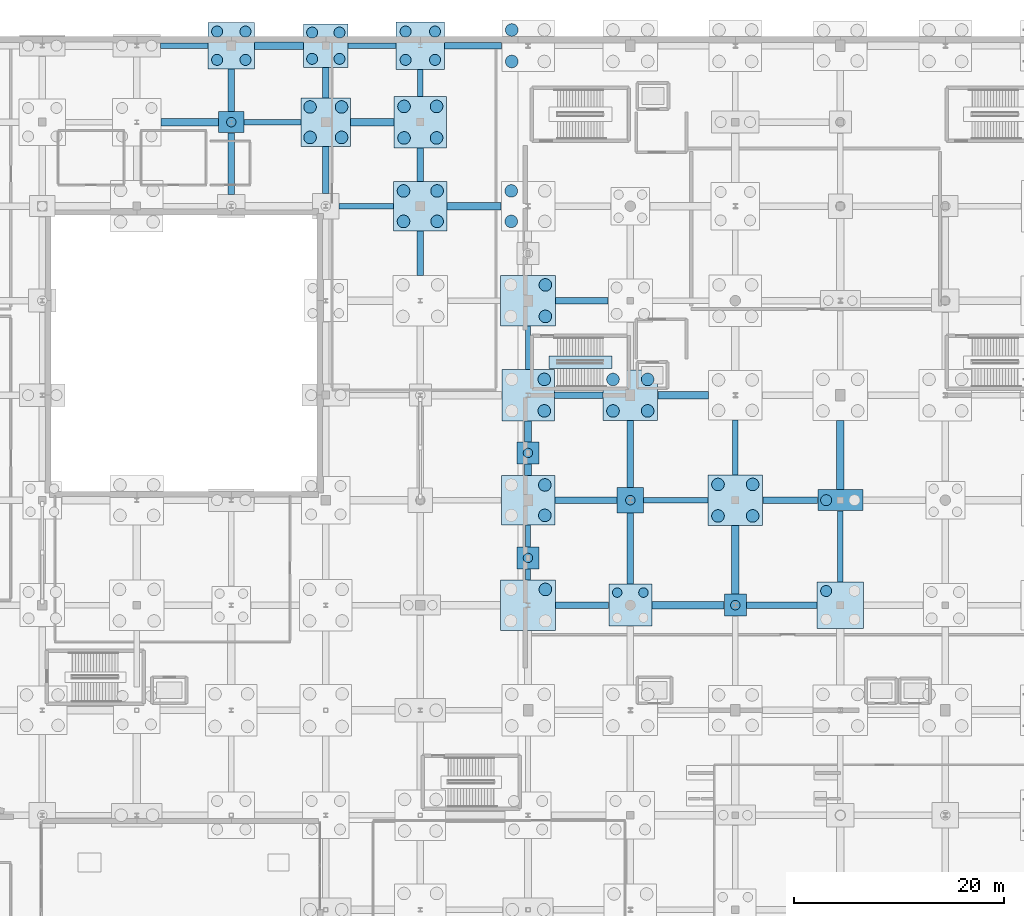
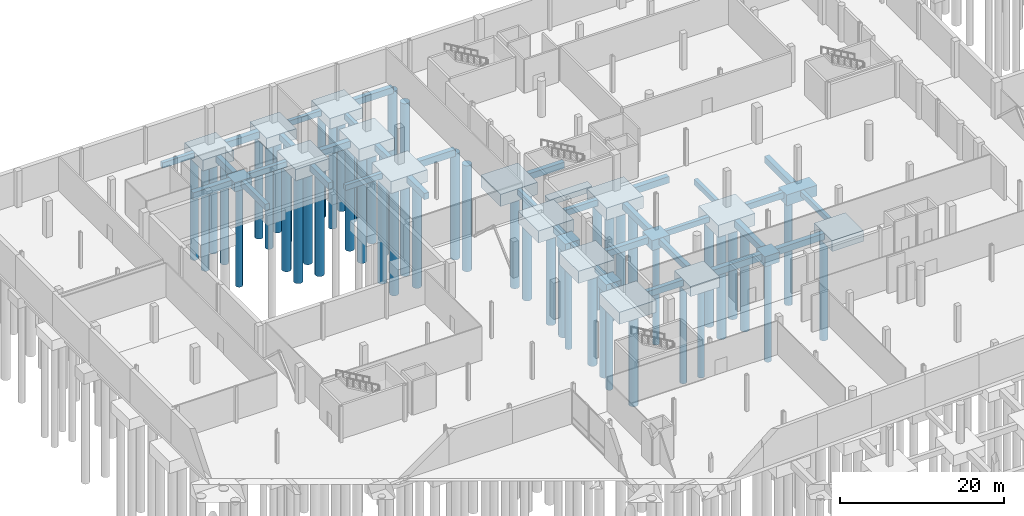
# One storey, part 8 of 60: 57 footings, 52 piles.
"""IFC4 building model written with IfcOpenShell, lengths in metres."""

from ifc_helpers import new_model, si_unit, direction, frame, origin, origin_2d, place, context, subcontext, project, spatial, rectangle, circle, extrude, material, material_profile, profile_set, type_object, element, save


model = new_model("IFC4")

# Units and contexts
model_context = context("Model", 3, precision=1e-05, world=origin(), true_north=direction((0.0, 1.0)))
body_context = subcontext(model_context, "Body", "Model", "MODEL_VIEW")
ifc_project = project(units=[si_unit("LENGTHUNIT", "METRE"), si_unit("AREAUNIT", "SQUARE_METRE"), si_unit("VOLUMEUNIT", "CUBIC_METRE"), si_unit("PLANEANGLEUNIT", "RADIAN"), si_unit("MASSUNIT", "GRAM", prefix="KILO")], contexts=[model_context])

# Site, building, storey
site_placement = place(None, origin())
site = spatial("IfcSite", under=ifc_project, at=site_placement, CompositionType="ELEMENT")
building_placement = place(site_placement, origin())
building = spatial("IfcBuilding", under=site, at=building_placement, Name="Trimount Lyric Opera House", CompositionType="ELEMENT")
storey_placement = place(building_placement, frame((0.0, 0.0, -5.39990234375)))
storey = spatial("IfcBuildingStorey", under=building, at=storey_placement, Name="B1", CompositionType="ELEMENT", Elevation=-5.39990234375)

# Footings
ifc_material_1 = material(Name="Concrete C40/50", Category="concrete")
footing_type_1 = type_object("IfcFootingType", Name="FB-01", PredefinedType="FOOTING_BEAM", material=ifc_material_1)
footing_1_placement = place(storey_placement, frame((32.050048828125, 110.0, -1.60009765625), z_axis=(0.0, 0.0, 1.0), x_axis=(1.0, 0.0, 0.0)))
element("IfcFooting", 1, at=footing_1_placement, inside=storey, type_object=footing_type_1, Name="Ground tie beam X-0076", PredefinedType="FOOTING_BEAM", context=body_context, shape_type="SweptSolid", body=[
    extrude(rectangle(XDim=5.469970703125, YDim=0.699951171875, at=origin_2d()), origin(), (0.0, 0.0, 1.0), 1.0),
])
footing_2_placement = place(storey_placement, frame((40.550048828125, 117.280029296875, -1.60009765625), z_axis=(0.0, 0.0, 1.0), x_axis=(1.0, 0.0, 0.0)))
element("IfcFooting", 2, at=footing_2_placement, inside=storey, type_object=footing_type_1, Name="Ground tie beam X-0092", PredefinedType="FOOTING_BEAM", context=body_context, shape_type="SweptSolid", body=[
    extrude(rectangle(XDim=4.669921875, YDim=0.699951171875, at=origin_2d()), origin(), (0.0, 0.0, 1.0), 1.0),
])
footing_3_placement = place(storey_placement, frame((49.425048828125, 110.0, -1.60009765625), z_axis=(0.0, 0.0, 1.0), x_axis=(1.0, 0.0, 0.0)))
element("IfcFooting", 3, at=footing_3_placement, inside=storey, type_object=footing_type_1, Name="Ground tie beam X-0116", PredefinedType="FOOTING_BEAM", context=body_context, shape_type="SweptSolid", body=[
    extrude(rectangle(XDim=4.1201171875, YDim=0.699951171875, at=origin_2d()), origin(), (0.0, 0.0, 1.0), 1.0),
])
footing_4_placement = place(storey_placement, frame((59.1298828125, 102.0, -1.60009765625), z_axis=(0.0, 0.0, 1.0), x_axis=(1.0, 0.0, 0.0)))
element("IfcFooting", 4, at=footing_4_placement, inside=storey, type_object=footing_type_1, Name="Ground tie beam X-0140", PredefinedType="FOOTING_BEAM", context=body_context, shape_type="SweptSolid", body=[
    extrude(rectangle(XDim=5.1298828125, YDim=0.699951171875, at=origin_2d()), origin(), (0.0, 0.0, 1.0), 1.0),
])
footing_5_placement = place(storey_placement, frame((64.260009765625, 76.89990234375, -1.60009765625), z_axis=(0.0, 0.0, 1.0), x_axis=(1.0, 0.0, 0.0)))
element("IfcFooting", 5, at=footing_5_placement, inside=storey, type_object=footing_type_1, Name="Ground tie beam Y-0160 seg 1", PredefinedType="FOOTING_BEAM", context=body_context, shape_type="SweptSolid", body=[
    extrude(rectangle(XDim=0.699951171875, YDim=1.070068359375, at=origin_2d()), origin(), (0.0, 0.0, 1.0), 1.0),
])
footing_6_placement = place(storey_placement, frame((64.260009765625, 80.550048828125, -1.60009765625), z_axis=(0.0, 0.0, 1.0), x_axis=(1.0, 0.0, 0.0)))
element("IfcFooting", 6, at=footing_6_placement, inside=storey, type_object=footing_type_1, Name="Ground tie beam Y-0160 seg 2", PredefinedType="FOOTING_BEAM", context=body_context, shape_type="SweptSolid", body=[
    extrude(rectangle(XDim=0.699951171875, YDim=1.969970703125, at=origin_2d()), origin(), (0.0, 0.0, 1.0), 1.0),
])
footing_7_placement = place(storey_placement, frame((79.5, 64.0, -1.60009765625), z_axis=(0.0, 0.0, 1.0), x_axis=(1.0, 0.0, 0.0)))
element("IfcFooting", 7, at=footing_7_placement, inside=storey, type_object=footing_type_1, Name="Ground tie beam X-0180", PredefinedType="FOOTING_BEAM", context=body_context, shape_type="SweptSolid", body=[
    extrude(rectangle(XDim=6.8701171875, YDim=0.699951171875, at=origin_2d()), origin(), (0.0, 0.0, 1.0), 1.0),
])
footing_8_placement = place(storey_placement, frame((79.02490234375, 84.0, -1.60009765625), z_axis=(0.0, 0.0, 1.0), x_axis=(1.0, 0.0, 0.0)))
element("IfcFooting", 8, at=footing_8_placement, inside=storey, type_object=footing_type_1, Name="Ground tie beam X-0184", PredefinedType="FOOTING_BEAM", context=body_context, shape_type="SweptSolid", body=[
    extrude(rectangle(XDim=4.820068359375, YDim=0.699951171875, at=origin_2d()), origin(), (0.0, 0.0, 1.0), 1.0),
])
footing_9_placement = place(storey_placement, frame((84.0, 68.324951171875, -1.60009765625), z_axis=(0.0, 0.0, 1.0), x_axis=(1.0, 0.0, 0.0)))
element("IfcFooting", 9, at=footing_9_placement, inside=storey, type_object=footing_type_1, Name="Ground tie beam Y-0204", PredefinedType="FOOTING_BEAM", context=body_context, shape_type="SweptSolid", body=[
    extrude(rectangle(XDim=0.699951171875, YDim=6.52001953125, at=origin_2d()), origin(), (0.0, 0.0, 1.0), 1.0),
])
footing_10_placement = place(storey_placement, frame((94.0, 78.300048828125, -1.60009765625), z_axis=(0.0, 0.0, 1.0), x_axis=(1.0, 0.0, 0.0)))
element("IfcFooting", 10, at=footing_10_placement, inside=storey, type_object=footing_type_1, Name="Ground tie beam Y-0232", PredefinedType="FOOTING_BEAM", context=body_context, shape_type="SweptSolid", body=[
    extrude(rectangle(XDim=0.699951171875, YDim=6.570068359375, at=origin_2d()), origin(), (0.0, 0.0, 1.0), 1.0),
])
ifc_material_2 = material(Name="Concrete C40/50", Category="concrete")
footing_type_2 = type_object("IfcFootingType", Name="FB-02", PredefinedType="FOOTING_BEAM", material=ifc_material_2)
footing_11_placement = place(storey_placement, frame((36.0, 106.050048828125, -1.5), z_axis=(0.0, 0.0, 1.0), x_axis=(1.0, 0.0, 0.0)))
element("IfcFooting", 11, at=footing_11_placement, inside=storey, type_object=footing_type_2, Name="Ground tie beam Y-0089", PredefinedType="FOOTING_BEAM", context=body_context, shape_type="SweptSolid", body=[
    extrude(rectangle(XDim=0.60009765625, YDim=5.8701171875, at=origin_2d()), origin(), (0.0, 0.0, 1.0), 0.89990234375),
])
footing_12_placement = place(storey_placement, frame((45.0, 113.764892578125, -1.5), z_axis=(0.0, 0.0, 1.0), x_axis=(1.0, 0.0, 0.0)))
element("IfcFooting", 12, at=footing_12_placement, inside=storey, type_object=footing_type_2, Name="Ground tie beam Y-0117", PredefinedType="FOOTING_BEAM", context=body_context, shape_type="SweptSolid", body=[
    extrude(rectangle(XDim=0.60009765625, YDim=2.89990234375, at=origin_2d()), origin(), (0.0, 0.0, 1.0), 0.89990234375),
])
footing_13_placement = place(storey_placement, frame((54.0, 105.949951171875, -1.5), z_axis=(0.0, 0.0, 1.0), x_axis=(1.0, 0.0, 0.0)))
element("IfcFooting", 13, at=footing_13_placement, inside=storey, type_object=footing_type_2, Name="Ground tie beam Y-0141", PredefinedType="FOOTING_BEAM", context=body_context, shape_type="SweptSolid", body=[
    extrude(rectangle(XDim=0.60009765625, YDim=3.169921875, at=origin_2d()), origin(), (0.0, 0.0, 1.0), 0.89990234375),
])
footing_14_placement = place(storey_placement, frame((69.405029296875, 64.0, -1.5), z_axis=(0.0, 0.0, 1.0), x_axis=(1.0, 0.0, 0.0)))
element("IfcFooting", 14, at=footing_14_placement, inside=storey, type_object=footing_type_2, Name="Ground tie beam X-0157", PredefinedType="FOOTING_BEAM", context=body_context, shape_type="SweptSolid", body=[
    extrude(rectangle(XDim=5.06005859375, YDim=0.60009765625, at=origin_2d()), origin(), (0.0, 0.0, 1.0), 0.89990234375),
])
footing_15_placement = place(storey_placement, frame((69.080078125, 84.0, -1.5), z_axis=(0.0, 0.0, 1.0), x_axis=(1.0, 0.0, 0.0)))
element("IfcFooting", 15, at=footing_15_placement, inside=storey, type_object=footing_type_2, Name="Ground tie beam X-0161", PredefinedType="FOOTING_BEAM", context=body_context, shape_type="SweptSolid", body=[
    extrude(rectangle(XDim=4.610107421875, YDim=0.60009765625, at=origin_2d()), origin(), (0.0, 0.0, 1.0), 0.89990234375),
])
footing_16_placement = place(storey_placement, frame((74.0, 69.39990234375, -1.5), z_axis=(0.0, 0.0, 1.0), x_axis=(1.0, 0.0, 0.0)))
element("IfcFooting", 16, at=footing_16_placement, inside=storey, type_object=footing_type_2, Name="Ground tie beam Y-0181", PredefinedType="FOOTING_BEAM", context=body_context, shape_type="SweptSolid", body=[
    extrude(rectangle(XDim=0.60009765625, YDim=6.77001953125, at=origin_2d()), origin(), (0.0, 0.0, 1.0), 0.89990234375),
])
footing_17_placement = place(storey_placement, frame((89.22509765625, 74.0, -1.5), z_axis=(0.0, 0.0, 1.0), x_axis=(1.0, 0.0, 0.0)))
element("IfcFooting", 17, at=footing_17_placement, inside=storey, type_object=footing_type_2, Name="Ground tie beam X-0205", PredefinedType="FOOTING_BEAM", context=body_context, shape_type="SweptSolid", body=[
    extrude(rectangle(XDim=5.219970703125, YDim=0.60009765625, at=origin_2d()), origin(), (0.0, 0.0, 1.0), 0.89990234375),
])
ifc_material_3 = material(Name="Concrete C40/50", Category="concrete")
footing_type_3 = type_object("IfcFootingType", Name="FB-03", PredefinedType="FOOTING_BEAM", material=ifc_material_3)
footing_18_placement = place(storey_placement, frame((31.52490234375, 117.280029296875, -1.39990234375), z_axis=(0.0, 0.0, 1.0), x_axis=(1.0, 0.0, 0.0)))
element("IfcFooting", 18, at=footing_18_placement, inside=storey, type_object=footing_type_3, Name="Ground tie beam X-0078", PredefinedType="FOOTING_BEAM", context=body_context, shape_type="SweptSolid", body=[
    extrude(rectangle(XDim=4.52001953125, YDim=0.5, at=origin_2d()), origin(), (0.0, 0.0, 1.0), 0.800048828125),
])
footing_19_placement = place(storey_placement, frame((39.925048828125, 110.0, -1.39990234375), z_axis=(0.0, 0.0, 1.0), x_axis=(1.0, 0.0, 0.0)))
element("IfcFooting", 19, at=footing_19_placement, inside=storey, type_object=footing_type_3, Name="Ground tie beam X-0090", PredefinedType="FOOTING_BEAM", context=body_context, shape_type="SweptSolid", body=[
    extrude(rectangle(XDim=5.419921875, YDim=0.5, at=origin_2d()), origin(), (0.0, 0.0, 1.0), 0.800048828125),
])
footing_20_placement = place(storey_placement, frame((48.85009765625, 102.0, -1.39990234375), z_axis=(0.0, 0.0, 1.0), x_axis=(1.0, 0.0, 0.0)))
element("IfcFooting", 20, at=footing_20_placement, inside=storey, type_object=footing_type_3, Name="Ground tie beam X-0114", PredefinedType="FOOTING_BEAM", context=body_context, shape_type="SweptSolid", body=[
    extrude(rectangle(XDim=5.169921875, YDim=0.5, at=origin_2d()), origin(), (0.0, 0.0, 1.0), 0.800048828125),
])
footing_21_placement = place(storey_placement, frame((49.39990234375, 117.280029296875, -1.39990234375), z_axis=(0.0, 0.0, 1.0), x_axis=(1.0, 0.0, 0.0)))
element("IfcFooting", 21, at=footing_21_placement, inside=storey, type_object=footing_type_3, Name="Ground tie beam X-0118", PredefinedType="FOOTING_BEAM", context=body_context, shape_type="SweptSolid", body=[
    extrude(rectangle(XDim=4.570068359375, YDim=0.5, at=origin_2d()), origin(), (0.0, 0.0, 1.0), 0.800048828125),
])
footing_22_placement = place(storey_placement, frame((54.0, 113.739990234375, -1.39990234375), z_axis=(0.0, 0.0, 1.0), x_axis=(1.0, 0.0, 0.0)))
element("IfcFooting", 22, at=footing_22_placement, inside=storey, type_object=footing_type_3, Name="Ground tie beam Y-0142", PredefinedType="FOOTING_BEAM", context=body_context, shape_type="SweptSolid", body=[
    extrude(rectangle(XDim=0.5, YDim=2.550048828125, at=origin_2d()), origin(), (0.0, 0.0, 1.0), 0.800048828125),
])
footing_23_placement = place(storey_placement, frame((64.260009765625, 66.925048828125, -1.39990234375), z_axis=(0.0, 0.0, 1.0), x_axis=(1.0, 0.0, 0.0)))
element("IfcFooting", 23, at=footing_23_placement, inside=storey, type_object=footing_type_3, Name="Ground tie beam Y-0158 seg 1", PredefinedType="FOOTING_BEAM", context=body_context, shape_type="SweptSolid", body=[
    extrude(rectangle(XDim=0.5, YDim=1.02001953125, at=origin_2d()), origin(), (0.0, 0.0, 1.0), 0.800048828125),
])
footing_24_placement = place(storey_placement, frame((64.260009765625, 70.60009765625, -1.39990234375), z_axis=(0.0, 0.0, 1.0), x_axis=(1.0, 0.0, 0.0)))
element("IfcFooting", 24, at=footing_24_placement, inside=storey, type_object=footing_type_3, Name="Ground tie beam Y-0158 seg 2", PredefinedType="FOOTING_BEAM", context=body_context, shape_type="SweptSolid", body=[
    extrude(rectangle(XDim=0.5, YDim=2.070068359375, at=origin_2d()), origin(), (0.0, 0.0, 1.0), 0.800048828125),
])
footing_25_placement = place(storey_placement, frame((64.260009765625, 88.52490234375, -1.39990234375), z_axis=(0.0, 0.0, 1.0), x_axis=(1.0, 0.0, 0.0)))
element("IfcFooting", 25, at=footing_25_placement, inside=storey, type_object=footing_type_3, Name="Ground tie beam Y-0162", PredefinedType="FOOTING_BEAM", context=body_context, shape_type="SweptSolid", body=[
    extrude(rectangle(XDim=0.5, YDim=4.1201171875, at=origin_2d()), origin(), (0.0, 0.0, 1.0), 0.800048828125),
])
footing_26_placement = place(storey_placement, frame((78.324951171875, 74.0, -1.39990234375), z_axis=(0.0, 0.0, 1.0), x_axis=(1.0, 0.0, 0.0)))
element("IfcFooting", 26, at=footing_26_placement, inside=storey, type_object=footing_type_3, Name="Ground tie beam X-0182", PredefinedType="FOOTING_BEAM", context=body_context, shape_type="SweptSolid", body=[
    extrude(rectangle(XDim=6.1201171875, YDim=0.5, at=origin_2d()), origin(), (0.0, 0.0, 1.0), 0.800048828125),
])
footing_27_placement = place(storey_placement, frame((84.0, 79.02490234375, -1.39990234375), z_axis=(0.0, 0.0, 1.0), x_axis=(1.0, 0.0, 0.0)))
element("IfcFooting", 27, at=footing_27_placement, inside=storey, type_object=footing_type_3, Name="Ground tie beam Y-0206", PredefinedType="FOOTING_BEAM", context=body_context, shape_type="SweptSolid", body=[
    extrude(rectangle(XDim=0.5, YDim=5.219970703125, at=origin_2d()), origin(), (0.0, 0.0, 1.0), 0.800048828125),
])
footing_28_placement = place(storey_placement, frame((94.0, 69.60009765625, -1.39990234375), z_axis=(0.0, 0.0, 1.0), x_axis=(1.0, 0.0, 0.0)))
element("IfcFooting", 28, at=footing_28_placement, inside=storey, type_object=footing_type_3, Name="Ground tie beam Y-0230", PredefinedType="FOOTING_BEAM", context=body_context, shape_type="SweptSolid", body=[
    extrude(rectangle(XDim=0.5, YDim=6.77001953125, at=origin_2d()), origin(), (0.0, 0.0, 1.0), 0.800048828125),
])
ifc_material_4 = material(Name="Concrete C40/50", Category="concrete")
footing_type_4 = type_object("IfcFootingType", Name="FB-04", PredefinedType="FOOTING_BEAM", material=ifc_material_4)
footing_29_placement = place(storey_placement, frame((36.0, 113.0400390625, -1.55029296875), z_axis=(0.0, 0.0, 1.0), x_axis=(1.0, 0.0, 0.0)))
element("IfcFooting", 29, at=footing_29_placement, inside=storey, type_object=footing_type_4, Name="Ground tie beam Y-0091", PredefinedType="FOOTING_BEAM", context=body_context, shape_type="SweptSolid", body=[
    extrude(rectangle(XDim=0.64990234375, YDim=4.050048828125, at=origin_2d()), origin(), (0.0, 0.0, 1.0), 0.949951171875),
])
footing_30_placement = place(storey_placement, frame((45.0, 105.449951171875, -1.55029296875), z_axis=(0.0, 0.0, 1.0), x_axis=(1.0, 0.0, 0.0)))
element("IfcFooting", 30, at=footing_30_placement, inside=storey, type_object=footing_type_4, Name="Ground tie beam Y-0115", PredefinedType="FOOTING_BEAM", context=body_context, shape_type="SweptSolid", body=[
    extrude(rectangle(XDim=0.64990234375, YDim=4.469970703125, at=origin_2d()), origin(), (0.0, 0.0, 1.0), 0.949951171875),
])
footing_31_placement = place(storey_placement, frame((54.0, 97.52490234375, -1.55029296875), z_axis=(0.0, 0.0, 1.0), x_axis=(1.0, 0.0, 0.0)))
element("IfcFooting", 31, at=footing_31_placement, inside=storey, type_object=footing_type_4, Name="Ground tie beam Y-0139", PredefinedType="FOOTING_BEAM", context=body_context, shape_type="SweptSolid", body=[
    extrude(rectangle(XDim=0.64990234375, YDim=4.219970703125, at=origin_2d()), origin(), (0.0, 0.0, 1.0), 0.949951171875),
])
footing_32_placement = place(storey_placement, frame((59.030029296875, 117.280029296875, -1.55029296875), z_axis=(0.0, 0.0, 1.0), x_axis=(1.0, 0.0, 0.0)))
element("IfcFooting", 32, at=footing_32_placement, inside=storey, type_object=footing_type_4, Name="Ground tie beam X-0143", PredefinedType="FOOTING_BEAM", context=body_context, shape_type="SweptSolid", body=[
    extrude(rectangle(XDim=5.429931640625, YDim=0.64990234375, at=origin_2d()), origin(), (0.0, 0.0, 1.0), 0.949951171875),
])
footing_33_placement = place(storey_placement, frame((69.780029296875, 74.0, -1.55029296875), z_axis=(0.0, 0.0, 1.0), x_axis=(1.0, 0.0, 0.0)))
element("IfcFooting", 33, at=footing_33_placement, inside=storey, type_object=footing_type_4, Name="Ground tie beam X-0159", PredefinedType="FOOTING_BEAM", context=body_context, shape_type="SweptSolid", body=[
    extrude(rectangle(XDim=5.909912109375, YDim=0.64990234375, at=origin_2d()), origin(), (0.0, 0.0, 1.0), 0.949951171875),
])
footing_34_placement = place(storey_placement, frame((69.3798828125, 93.0, -1.55029296875), z_axis=(0.0, 0.0, 1.0), x_axis=(1.0, 0.0, 0.0)))
element("IfcFooting", 34, at=footing_34_placement, inside=storey, type_object=footing_type_4, Name="Ground tie beam X-0163", PredefinedType="FOOTING_BEAM", context=body_context, shape_type="SweptSolid", body=[
    extrude(rectangle(XDim=5.010009765625, YDim=0.64990234375, at=origin_2d()), origin(), (0.0, 0.0, 1.0), 0.949951171875),
])
footing_35_placement = place(storey_placement, frame((74.0, 78.39990234375, -1.55029296875), z_axis=(0.0, 0.0, 1.0), x_axis=(1.0, 0.0, 0.0)))
element("IfcFooting", 35, at=footing_35_placement, inside=storey, type_object=footing_type_4, Name="Ground tie beam Y-0183", PredefinedType="FOOTING_BEAM", context=body_context, shape_type="SweptSolid", body=[
    extrude(rectangle(XDim=0.64990234375, YDim=6.3701171875, at=origin_2d()), origin(), (0.0, 0.0, 1.0), 0.949951171875),
])
footing_36_placement = place(storey_placement, frame((88.425048828125, 64.0, -1.55029296875), z_axis=(0.0, 0.0, 1.0), x_axis=(1.0, 0.0, 0.0)))
element("IfcFooting", 36, at=footing_36_placement, inside=storey, type_object=footing_type_4, Name="Ground tie beam X-0203", PredefinedType="FOOTING_BEAM", context=body_context, shape_type="SweptSolid", body=[
    extrude(rectangle(XDim=6.719970703125, YDim=0.64990234375, at=origin_2d()), origin(), (0.0, 0.0, 1.0), 0.949951171875),
])
ifc_material_5 = material(Name="Concrete C40/50", Category="concrete")
footing_type_5 = type_object("IfcFootingType", Name="PC-04", PredefinedType="PILE_CAP", material=ifc_material_5)
for number, where, z_axis, x_axis, name in (
    (37, (36.0, 117.280029296875, -2.2001953125), (0.0, 0.0, 1.0), (1.0, 0.0, 0.0), "Pile cap 5/P"),
    (38, (94.0, 64.0, -2.2001953125), (0.0, 0.0, 1.0), (1.0, 0.0, 0.0), "Pile cap 11/H"),
):
    element("IfcFooting", number, at=place(storey_placement, frame(where, z_axis=z_axis, x_axis=x_axis)), inside=storey, type_object=footing_type_5, Name=name, PredefinedType="PILE_CAP", context=body_context, shape_type="SweptSolid", body=[
        extrude(rectangle(XDim=4.39990234375, YDim=4.39990234375, at=origin_2d()), origin(), (0.0, 0.0, 1.0), 1.60009765625),
    ])
ifc_material_6 = material(Name="Concrete C40/50", Category="concrete")
footing_type_6 = type_object("IfcFootingType", Name="PC-05", PredefinedType="PILE_CAP", material=ifc_material_6)
footing_37_placement = place(storey_placement, frame((94.0, 74.0, -2.2001953125), z_axis=(0.0, 0.0, 1.0), x_axis=(1.0, 0.0, 0.0)))
element("IfcFooting", 39, at=footing_37_placement, inside=storey, type_object=footing_type_6, Name="Pile cap 11/J", PredefinedType="PILE_CAP", context=body_context, shape_type="SweptSolid", body=[
    extrude(rectangle(XDim=4.300048828125, YDim=2.0, at=origin_2d()), origin(), (0.0, 0.0, 1.0), 1.60009765625),
])
ifc_material_7 = material(Name="Concrete C40/50", Category="concrete")
footing_type_7 = type_object("IfcFootingType", Name="PC-09", PredefinedType="PILE_CAP", material=ifc_material_7)
for number, where, z_axis, x_axis, name in (
    (40, (84.0, 64.0, -2.10009765625), (0.0, 0.0, 1.0), (1.0, 0.0, 0.0), "Pile cap 10/H"),
    (41, (64.25, 68.5, -2.10009765625), (0.0, 0.0, 1.0), (1.0, 0.0, 0.0), "Pilaster pile cap W01"),
    (42, (64.25, 78.5, -2.10009765625), (0.0, 0.0, 1.0), (1.0, 0.0, 0.0), "Pilaster pile cap W02"),
):
    element("IfcFooting", number, at=place(storey_placement, frame(where, z_axis=z_axis, x_axis=x_axis)), inside=storey, type_object=footing_type_7, Name=name, PredefinedType="PILE_CAP", context=body_context, shape_type="SweptSolid", body=[
        extrude(rectangle(XDim=2.10009765625, YDim=2.10009765625, at=origin_2d()), origin(), (0.0, 0.0, 1.0), 1.5),
    ])
ifc_material_8 = material(Name="Concrete C40/50", Category="concrete")
footing_type_8 = type_object("IfcFootingType", Name="PC-10", PredefinedType="PILE_CAP", material=ifc_material_8)
for number, where, z_axis, x_axis, name in (
    (43, (64.260009765625, 64.0, -2.39990234375), (0.0, 0.0, 1.0), (1.0, 0.0, 0.0), "Pile cap 8/H"),
    (44, (64.260009765625, 93.0, -2.39990234375), (0.0, 0.0, 1.0), (1.0, 0.0, 0.0), "Pile cap 8/L"),
    (45, (74.0, 84.0, -2.39990234375), (0.0, 0.0, 1.0), (1.0, 0.0, 0.0), "Pile cap 9/K"),
    (46, (84.0, 74.0, -2.39990234375), (0.0, 0.0, 1.0), (1.0, 0.0, 0.0), "Pile cap 10/J"),
):
    element("IfcFooting", number, at=place(storey_placement, frame(where, z_axis=z_axis, x_axis=x_axis)), inside=storey, type_object=footing_type_8, Name=name, PredefinedType="PILE_CAP", context=body_context, shape_type="SweptSolid", body=[
        extrude(rectangle(XDim=5.199951171875, YDim=4.800048828125, at=origin_2d()), origin(), (0.0, 0.0, 1.0), 1.800048828125),
    ])
ifc_material_9 = material(Name="Concrete C40/50", Category="concrete")
footing_type_9 = type_object("IfcFootingType", Name="PC-11", PredefinedType="PILE_CAP", material=ifc_material_9)
for number, where, z_axis, x_axis, name in (
    (47, (54.0, 102.0, -2.39990234375), (0.0, 0.0, 1.0), (1.0, 0.0, 0.0), "Pile cap 7/M"),
    (48, (64.260009765625, 74.0, -2.39990234375), (0.0, 0.0, 1.0), (1.0, 0.0, 0.0), "Pile cap 8/J"),
):
    element("IfcFooting", number, at=place(storey_placement, frame(where, z_axis=z_axis, x_axis=x_axis)), inside=storey, type_object=footing_type_9, Name=name, PredefinedType="PILE_CAP", context=body_context, shape_type="SweptSolid", body=[
        extrude(rectangle(XDim=5.10009765625, YDim=4.699951171875, at=origin_2d()), origin(), (0.0, 0.0, 1.0), 1.800048828125),
    ])
ifc_material_10 = material(Name="Concrete C40/50", Category="concrete")
footing_type_10 = type_object("IfcFootingType", Name="PC-12", PredefinedType="PILE_CAP", material=ifc_material_10)
for number, where, z_axis, x_axis, name in (
    (49, (54.0, 110.0, -2.39990234375), (0.0, 0.0, 1.0), (1.0, 0.0, 0.0), "Pile cap 7/N"),
    (50, (64.260009765625, 84.0, -2.39990234375), (0.0, 0.0, 1.0), (1.0, 0.0, 0.0), "Pile cap 8/K"),
):
    element("IfcFooting", number, at=place(storey_placement, frame(where, z_axis=z_axis, x_axis=x_axis)), inside=storey, type_object=footing_type_10, Name=name, PredefinedType="PILE_CAP", context=body_context, shape_type="SweptSolid", body=[
        extrude(rectangle(XDim=5.0, YDim=4.89990234375, at=origin_2d()), origin(), (0.0, 0.0, 1.0), 1.800048828125),
    ])
ifc_material_11 = material(Name="Concrete C40/50", Category="concrete")
footing_type_11 = type_object("IfcFootingType", Name="PC-13", PredefinedType="PILE_CAP", material=ifc_material_11)
footing_38_placement = place(storey_placement, frame((54.0, 117.280029296875, -2.2001953125), z_axis=(0.0, 0.0, 1.0), x_axis=(1.0, 0.0, 0.0)))
element("IfcFooting", 51, at=footing_38_placement, inside=storey, type_object=footing_type_11, Name="Pile cap 7/P", PredefinedType="PILE_CAP", context=body_context, shape_type="SweptSolid", body=[
    extrude(rectangle(XDim=4.60009765625, YDim=4.5, at=origin_2d()), origin(), (0.0, 0.0, 1.0), 1.60009765625),
])
ifc_material_12 = material(Name="Concrete C40/50", Category="concrete")
footing_type_12 = type_object("IfcFootingType", Name="PC-15", PredefinedType="PILE_CAP", material=ifc_material_12)
footing_39_placement = place(storey_placement, frame((74.0, 64.0, -2.10009765625), z_axis=(0.0, 0.0, 1.0), x_axis=(1.0, 0.0, 0.0)))
element("IfcFooting", 52, at=footing_39_placement, inside=storey, type_object=footing_type_12, Name="Pile cap 9/H", PredefinedType="PILE_CAP", context=body_context, shape_type="SweptSolid", body=[
    extrude(rectangle(XDim=4.10009765625, YDim=4.0, at=origin_2d()), origin(), (0.0, 0.0, 1.0), 1.5),
])
ifc_material_13 = material(Name="Concrete C40/50", Category="concrete")
footing_type_13 = type_object("IfcFootingType", Name="PC-16", PredefinedType="PILE_CAP", material=ifc_material_13)
footing_40_placement = place(storey_placement, frame((74.0, 74.0, -2.10009765625), z_axis=(0.0, 0.0, 1.0), x_axis=(1.0, 0.0, 0.0)))
element("IfcFooting", 53, at=footing_40_placement, inside=storey, type_object=footing_type_13, Name="Pile cap 9/J", PredefinedType="PILE_CAP", context=body_context, shape_type="SweptSolid", body=[
    extrude(rectangle(XDim=2.5, YDim=2.39990234375, at=origin_2d()), origin(), (0.0, 0.0, 1.0), 1.5),
])
ifc_material_14 = material(Name="Concrete C40/50", Category="concrete")
footing_type_14 = type_object("IfcFootingType", Name="PC-17", PredefinedType="PILE_CAP", material=ifc_material_14)
footing_41_placement = place(storey_placement, frame((45.0, 110.0, -2.30029296875), z_axis=(0.0, 0.0, 1.0), x_axis=(1.0, 0.0, 0.0)))
element("IfcFooting", 54, at=footing_41_placement, inside=storey, type_object=footing_type_14, Name="Pile cap 6/N", PredefinedType="PILE_CAP", context=body_context, shape_type="SweptSolid", body=[
    extrude(rectangle(XDim=4.699951171875, YDim=4.60009765625, at=origin_2d()), origin(), (0.0, 0.0, 1.0), 1.699951171875),
])
ifc_material_15 = material(Name="Concrete C40/50", Category="concrete")
footing_type_15 = type_object("IfcFootingType", Name="PC-18", PredefinedType="PILE_CAP", material=ifc_material_15)
footing_42_placement = place(storey_placement, frame((45.0, 117.280029296875, -2.14990234375), z_axis=(0.0, 0.0, 1.0), x_axis=(1.0, 0.0, 0.0)))
element("IfcFooting", 55, at=footing_42_placement, inside=storey, type_object=footing_type_15, Name="Pile cap 6/P", PredefinedType="PILE_CAP", context=body_context, shape_type="SweptSolid", body=[
    extrude(rectangle(XDim=4.199951171875, YDim=4.10009765625, at=origin_2d()), origin(), (0.0, 0.0, 1.0), 1.550048828125),
])
ifc_material_16 = material(Name="Concrete C40/50", Category="concrete")
footing_type_16 = type_object("IfcFootingType", Name="PC-22", PredefinedType="PILE_CAP", material=ifc_material_16)
footing_43_placement = place(storey_placement, frame((36.0, 110.0, -2.0), z_axis=(0.0, 0.0, 1.0), x_axis=(1.0, 0.0, 0.0)))
element("IfcFooting", 56, at=footing_43_placement, inside=storey, type_object=footing_type_16, Name="Pile cap 5/N", PredefinedType="PILE_CAP", context=body_context, shape_type="SweptSolid", body=[
    extrude(rectangle(XDim=2.39990234375, YDim=2.0, at=origin_2d()), origin(), (0.0, 0.0, 1.0), 1.39990234375),
])

# Piles
ifc_material_17 = material(Name="Concrete C40/50", Category="concrete")
ifc_material_profile_1 = material_profile(ifc_material_17, circle(Radius=0.52490234375, at=origin_2d()), Name="PILE-D1050")
ifc_profile_set_1 = profile_set([ifc_material_profile_1], Name="Concrete C40/50")
pile_type_1 = type_object("IfcPileType", Name="PL-1050", PredefinedType="BORED", material=ifc_profile_set_1)
for number, where, z_axis, x_axis, name in (
    (57, (34.64990234375, 115.929931640625, -2.10009765625), (0.0, 0.0, -1.0), (1.0, 0.0, 0.0), "Bored pile 0160"),
    (58, (37.35009765625, 115.929931640625, -2.10009765625), (0.0, 0.0, -1.0), (1.0, 0.0, 0.0), "Bored pile 0161"),
    (59, (34.64990234375, 118.6298828125, -2.10009765625), (0.0, 0.0, -1.0), (1.0, 0.0, 0.0), "Bored pile 0162"),
    (60, (37.35009765625, 118.6298828125, -2.10009765625), (0.0, 0.0, -1.0), (1.0, 0.0, 0.0), "Bored pile 0163"),
    (61, (43.699951171875, 116.030029296875, -2.050048828125), (0.0, 0.0, -1.0), (1.0, 0.0, 0.0), "Bored pile 0205"),
    (62, (46.300048828125, 116.030029296875, -2.050048828125), (0.0, 0.0, -1.0), (1.0, 0.0, 0.0), "Bored pile 0206"),
    (63, (43.699951171875, 118.530029296875, -2.050048828125), (0.0, 0.0, -1.0), (1.0, 0.0, 0.0), "Bored pile 0207"),
    (64, (46.300048828125, 118.530029296875, -2.050048828125), (0.0, 0.0, -1.0), (1.0, 0.0, 0.0), "Bored pile 0208"),
    (65, (52.60009765625, 115.929931640625, -2.10009765625), (0.0, 0.0, -1.0), (1.0, 0.0, 0.0), "Bored pile 0246"),
    (66, (55.39990234375, 115.929931640625, -2.10009765625), (0.0, 0.0, -1.0), (1.0, 0.0, 0.0), "Bored pile 0247"),
    (67, (52.60009765625, 118.6298828125, -2.10009765625), (0.0, 0.0, -1.0), (1.0, 0.0, 0.0), "Bored pile 0248"),
    (68, (55.39990234375, 118.6298828125, -2.10009765625), (0.0, 0.0, -1.0), (1.0, 0.0, 0.0), "Bored pile 0249"),
    (69, (92.64990234375, 65.35009765625, -2.10009765625), (0.0, 0.0, -1.0), (1.0, 0.0, 0.0), "Bored pile 0401"),
    (70, (92.64990234375, 74.0, -2.10009765625), (0.0, 0.0, -1.0), (1.0, 0.0, 0.0), "Bored pile 0403"),
):
    element("IfcPile", number, at=place(storey_placement, frame(where, z_axis=z_axis, x_axis=x_axis)), inside=storey, type_object=pile_type_1, Name=name, PredefinedType="BORED", context=body_context, shape_type="SweptSolid", body=[
        extrude(circle(Radius=0.52490234375, at=origin_2d()), origin(), (0.0, 0.0, 1.0), 15.5),
    ])
ifc_material_18 = material(Name="Concrete C40/50", Category="concrete")
ifc_material_profile_2 = material_profile(ifc_material_18, circle(Radius=0.60009765625, at=origin_2d()), Name="PILE-D1200")
ifc_profile_set_2 = profile_set([ifc_material_profile_2], Name="Concrete C40/50")
pile_type_2 = type_object("IfcPileType", Name="PL-1200", PredefinedType="BORED", material=ifc_profile_set_2)
for number, where, z_axis, x_axis, name in (
    (71, (43.5, 108.550048828125, -2.2001953125), (0.0, 0.0, -1.0), (1.0, 0.0, 0.0), "Bored pile 0201"),
    (72, (46.5, 108.550048828125, -2.2001953125), (0.0, 0.0, -1.0), (1.0, 0.0, 0.0), "Bored pile 0202"),
    (73, (43.5, 111.449951171875, -2.2001953125), (0.0, 0.0, -1.0), (1.0, 0.0, 0.0), "Bored pile 0203"),
    (74, (46.5, 111.449951171875, -2.2001953125), (0.0, 0.0, -1.0), (1.0, 0.0, 0.0), "Bored pile 0204"),
    (75, (52.39990234375, 100.550048828125, -2.300048828125), (0.0, 0.0, -1.0), (1.0, 0.0, 0.0), "Bored pile 0238"),
    (76, (55.60009765625, 100.550048828125, -2.300048828125), (0.0, 0.0, -1.0), (1.0, 0.0, 0.0), "Bored pile 0239"),
    (77, (52.39990234375, 103.449951171875, -2.300048828125), (0.0, 0.0, -1.0), (1.0, 0.0, 0.0), "Bored pile 0240"),
    (78, (55.60009765625, 103.449951171875, -2.300048828125), (0.0, 0.0, -1.0), (1.0, 0.0, 0.0), "Bored pile 0241"),
    (79, (52.449951171875, 108.5, -2.300048828125), (0.0, 0.0, -1.0), (1.0, 0.0, 0.0), "Bored pile 0242"),
    (80, (55.550048828125, 108.5, -2.300048828125), (0.0, 0.0, -1.0), (1.0, 0.0, 0.0), "Bored pile 0243"),
    (81, (52.449951171875, 111.5, -2.300048828125), (0.0, 0.0, -1.0), (1.0, 0.0, 0.0), "Bored pile 0244"),
    (82, (55.550048828125, 111.5, -2.300048828125), (0.0, 0.0, -1.0), (1.0, 0.0, 0.0), "Bored pile 0245"),
    (83, (65.909912109375, 65.5, -2.300048828125), (0.0, 0.0, -1.0), (1.0, 0.0, 0.0), "Bored pile 0274"),
    (84, (65.860107421875, 72.550048828125, -2.300048828125), (0.0, 0.0, -1.0), (1.0, 0.0, 0.0), "Bored pile 0276"),
    (85, (65.860107421875, 75.449951171875, -2.300048828125), (0.0, 0.0, -1.0), (1.0, 0.0, 0.0), "Bored pile 0278"),
    (86, (65.81005859375, 82.5, -2.300048828125), (0.0, 0.0, -1.0), (1.0, 0.0, 0.0), "Bored pile 0280"),
    (87, (65.81005859375, 85.5, -2.300048828125), (0.0, 0.0, -1.0), (1.0, 0.0, 0.0), "Bored pile 0282"),
    (88, (65.909912109375, 91.5, -2.300048828125), (0.0, 0.0, -1.0), (1.0, 0.0, 0.0), "Bored pile 0284"),
    (89, (65.909912109375, 94.5, -2.300048828125), (0.0, 0.0, -1.0), (1.0, 0.0, 0.0), "Bored pile 0286"),
    (90, (62.659912109375, 100.550048828125, -2.300048828125), (0.0, 0.0, -1.0), (1.0, 0.0, 0.0), "Bored pile 0287"),
    (91, (62.659912109375, 103.449951171875, -2.300048828125), (0.0, 0.0, -1.0), (1.0, 0.0, 0.0), "Bored pile 0289"),
    (92, (62.7099609375, 115.780029296875, -2.300048828125), (0.0, 0.0, -1.0), (1.0, 0.0, 0.0), "Bored pile 0291"),
    (93, (62.7099609375, 118.780029296875, -2.300048828125), (0.0, 0.0, -1.0), (1.0, 0.0, 0.0), "Bored pile 0293"),
    (94, (72.35009765625, 82.5, -2.300048828125), (0.0, 0.0, -1.0), (1.0, 0.0, 0.0), "Bored pile 0322"),
    (95, (75.64990234375, 82.5, -2.300048828125), (0.0, 0.0, -1.0), (1.0, 0.0, 0.0), "Bored pile 0323"),
    (96, (72.35009765625, 85.5, -2.300048828125), (0.0, 0.0, -1.0), (1.0, 0.0, 0.0), "Bored pile 0324"),
    (97, (75.64990234375, 85.5, -2.300048828125), (0.0, 0.0, -1.0), (1.0, 0.0, 0.0), "Bored pile 0325"),
    (98, (82.35009765625, 72.5, -2.300048828125), (0.0, 0.0, -1.0), (1.0, 0.0, 0.0), "Bored pile 0357"),
    (99, (85.64990234375, 72.5, -2.300048828125), (0.0, 0.0, -1.0), (1.0, 0.0, 0.0), "Bored pile 0358"),
    (100, (82.35009765625, 75.5, -2.300048828125), (0.0, 0.0, -1.0), (1.0, 0.0, 0.0), "Bored pile 0359"),
    (101, (85.64990234375, 75.5, -2.300048828125), (0.0, 0.0, -1.0), (1.0, 0.0, 0.0), "Bored pile 0360"),
):
    element("IfcPile", number, at=place(storey_placement, frame(where, z_axis=z_axis, x_axis=x_axis)), inside=storey, type_object=pile_type_2, Name=name, PredefinedType="BORED", context=body_context, shape_type="SweptSolid", body=[
        extrude(circle(Radius=0.60009765625, at=origin_2d()), origin(), (0.0, 0.0, 1.0), 15.800048828125),
    ])
ifc_material_19 = material(Name="Concrete C40/50", Category="concrete")
ifc_material_profile_3 = material_profile(ifc_material_19, circle(Radius=0.449951171875, at=origin_2d()), Name="PILE-D900")
ifc_profile_set_3 = profile_set([ifc_material_profile_3], Name="Concrete C40/50")
pile_type_3 = type_object("IfcPileType", Name="PL-900", PredefinedType="BORED", material=ifc_profile_set_3)
for number, where, z_axis, x_axis, name in (
    (102, (36.0, 110.0, -1.900146484375), (0.0, 0.0, -1.0), (1.0, 0.0, 0.0), "Bored pile 0159"),
    (103, (72.75, 65.199951171875, -2.0), (0.0, 0.0, -1.0), (1.0, 0.0, 0.0), "Bored pile 0319"),
    (104, (75.25, 65.199951171875, -2.0), (0.0, 0.0, -1.0), (1.0, 0.0, 0.0), "Bored pile 0320"),
    (105, (74.0, 74.0, -2.0), (0.0, 0.0, -1.0), (1.0, 0.0, 0.0), "Bored pile 0321"),
    (106, (84.0, 64.0, -2.0), (0.0, 0.0, -1.0), (1.0, 0.0, 0.0), "Bored pile 0356"),
    (107, (64.25, 68.5, -2.0), (0.0, 0.0, -1.0), (1.0, 0.0, 0.0), "Bored pile 0761"),
    (108, (64.25, 78.5, -2.0), (0.0, 0.0, -1.0), (1.0, 0.0, 0.0), "Bored pile 0763"),
):
    element("IfcPile", number, at=place(storey_placement, frame(where, z_axis=z_axis, x_axis=x_axis)), inside=storey, type_object=pile_type_3, Name=name, PredefinedType="BORED", context=body_context, shape_type="SweptSolid", body=[
        extrude(circle(Radius=0.449951171875, at=origin_2d()), origin(), (0.0, 0.0, 1.0), 15.0),
    ])

# Footing
ifc_material_20 = material(Name="Concrete C40/50", Category="concrete")
footing_type_17 = type_object("IfcFootingType", Name="SF-02", PredefinedType="STRIP_FOOTING", material=ifc_material_20)
footing_44_placement = place(storey_placement, frame((69.25, 87.14990234375, -1.39990234375), z_axis=(0.0, 0.0, 1.0), x_axis=(1.0, 0.0, 0.0)))
element("IfcFooting", 109, at=footing_44_placement, inside=storey, type_object=footing_type_17, Name="Core strip footing SF-K3", PredefinedType="STRIP_FOOTING", context=body_context, shape_type="SweptSolid", body=[
    extrude(rectangle(XDim=6.0, YDim=1.199951171875, at=origin_2d()), origin(), (0.0, 0.0, 1.0), 0.800048828125),
])

save(model, "model.ifc")
